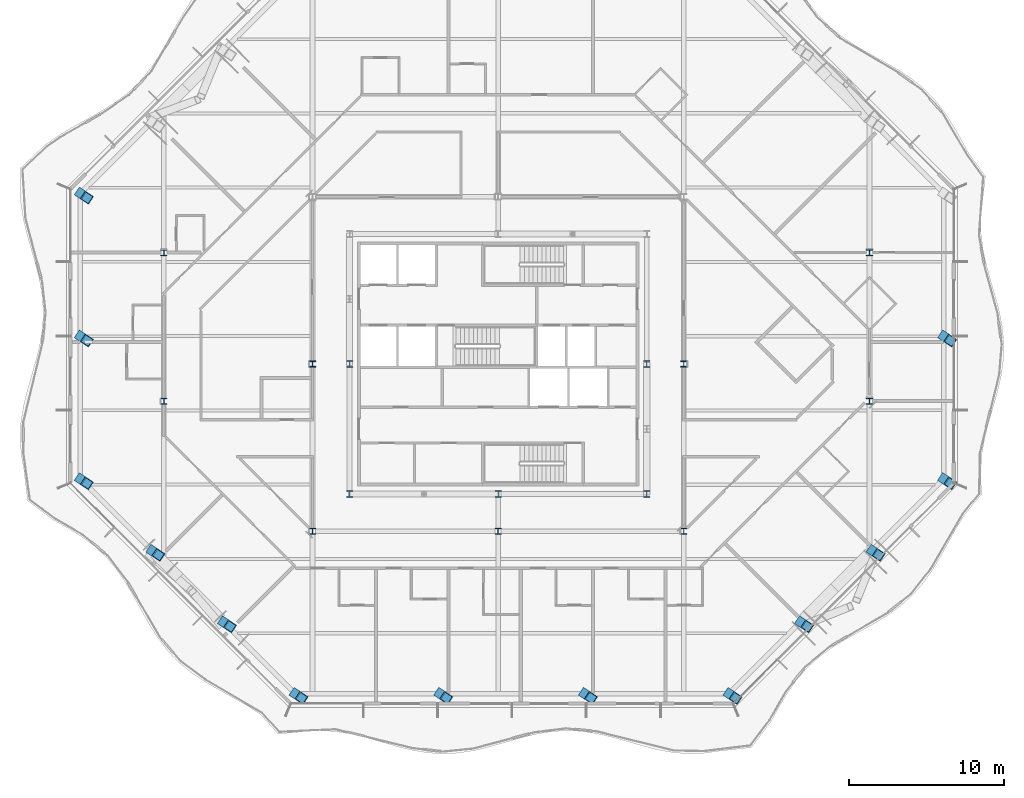
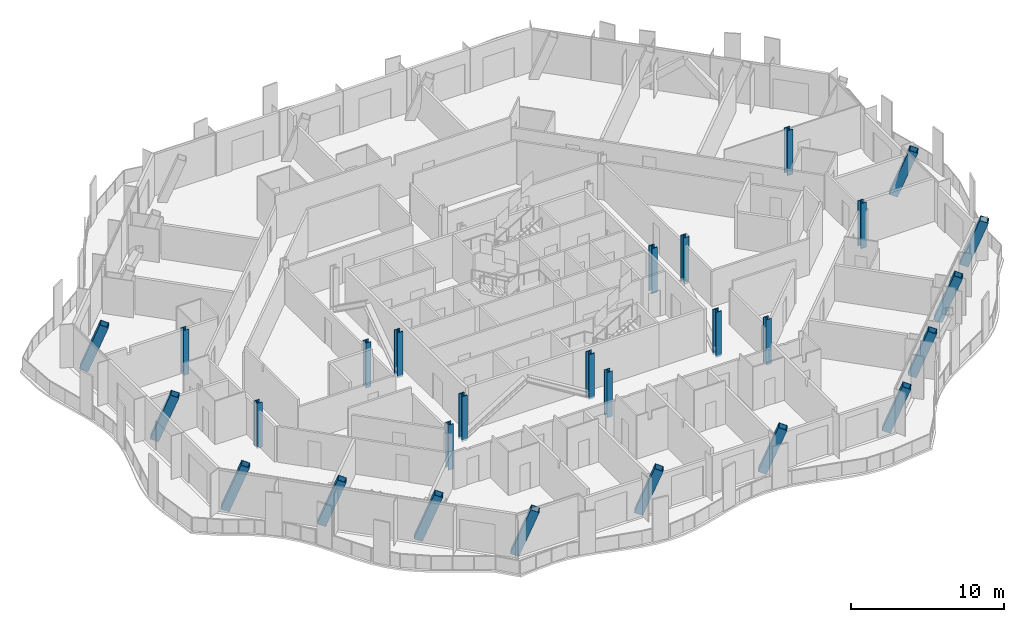
# One storey, part 1 of 21: 27 columns.
"""IFC4 building model written with IfcOpenShell, lengths in metres."""

from ifc_helpers import new_model, si_unit, direction, frame, origin, origin_2d, place, context, subcontext, project, spatial, hollow_rectangle, i_section, extrude, clip, halfspace, material, material_profile, profile_set, type_object, element, save


model = new_model("IFC4")

# Units and contexts
model_context = context("Model", 3, precision=1e-05, world=origin(), true_north=direction((0.0, 1.0)))
body_context = subcontext(model_context, "Body", "Model", "MODEL_VIEW")
ifc_project = project(units=[si_unit("LENGTHUNIT", "METRE"), si_unit("AREAUNIT", "SQUARE_METRE"), si_unit("VOLUMEUNIT", "CUBIC_METRE"), si_unit("PLANEANGLEUNIT", "RADIAN"), si_unit("MASSUNIT", "GRAM", prefix="KILO")], contexts=[model_context])

# Site, building, storey
site_placement = place(None, origin())
site = spatial("IfcSite", under=ifc_project, at=site_placement, CompositionType="ELEMENT")
building_placement = place(site_placement, origin())
building = spatial("IfcBuilding", under=site, at=building_placement, Name="Cairn Pilgrim Tower", CompositionType="ELEMENT")
storey_placement = place(building_placement, frame((0.0, 0.0, 179.39990234375)))
storey = spatial("IfcBuildingStorey", under=building, at=storey_placement, Name="L45", CompositionType="ELEMENT", Elevation=179.39990234375)

# Columns
ifc_material_1 = material(Name="Structural steel S460M", Category="steel")
ifc_material_profile_1 = material_profile(ifc_material_1, hollow_rectangle(XDim=0.60009765625, YDim=0.60009765625, WallThickness=0.034912109375, at=origin_2d()), Name="BOX 600x600x35")
ifc_profile_set_1 = profile_set([ifc_material_profile_1], Name="Structural steel S460M")
column_type_1 = type_object("IfcColumnType", Name="BOX 600x600x35", PredefinedType="COLUMN", material=ifc_profile_set_1)
for number, where, z_axis, x_axis, name in (
    (1, (-5.92724609375, -18.89990234375, -0.14990234375), (0.292540258958, -0.195026839305, 0.936154222786), (0.554700196225, 0.832050294338, 0.0), "PC2-S1"),
    (2, (3.42431640625, -18.89990234375, -0.14990234375), (0.292540258958, -0.195026839305, 0.936154222786), (0.554700196225, 0.832050294338, 0.0), "PC2-S2"),
    (3, (12.775634765625, -18.89990234375, -0.14990234375), (0.292540258958, -0.195026839305, 0.936154222786), (0.554700196225, 0.832050294338, 0.0), "PC2-S3"),
    (4, (22.127197265625, -18.89990234375, -0.14990234375), (0.292540258958, -0.195026839305, 0.936154222786), (0.554700196225, 0.832050294338, 0.0), "PC2-SE1"),
    (5, (26.75146484375, -14.275634765625, -0.14990234375), (0.292540258958, -0.195026839305, 0.936154222786), (0.554700196225, 0.832050294338, 0.0), "PC2-SE2"),
    (6, (31.375732421875, -9.651611328125, -0.14990234375), (0.292540258958, -0.195026839305, 0.936154222786), (0.554700196225, 0.832050294338, 0.0), "PC2-SE3"),
    (7, (36.0, -5.027099609375, -0.14990234375), (0.292540258958, -0.195026839305, 0.936154222786), (0.554700196225, 0.832050294338, 0.0), "PC2-E1"),
    (8, (36.0, 4.199951171875, -0.14990234375), (0.292540258958, -0.195026839305, 0.936154222786), (0.554700196225, 0.832050294338, 0.0), "PC2-E2"),
    (9, (-19.800048828125, 13.42724609375, -0.14990234375), (0.292540258958, -0.195026839305, 0.936154222786), (0.554700196225, 0.832050294338, 0.0), "PC2-W1"),
    (10, (-19.800048828125, 4.199951171875, -0.14990234375), (0.292540258958, -0.195026839305, 0.936154222786), (0.554700196225, 0.832050294338, 0.0), "PC2-W2"),
    (11, (-19.800048828125, -5.027099609375, -0.14990234375), (0.292540258958, -0.195026839305, 0.936154222786), (0.554700196225, 0.832050294338, 0.0), "PC2-SW1"),
    (12, (-15.17578125, -9.651611328125, -0.14990234375), (0.292540258958, -0.195026839305, 0.936154222786), (0.554700196225, 0.832050294338, 0.0), "PC2-SW2"),
    (13, (-10.551513671875, -14.275634765625, -0.14990234375), (0.292540258958, -0.195026839305, 0.936154222786), (0.554700196225, 0.832050294338, 0.0), "PC2-SW3"),
):
    element("IfcColumn", number, at=place(storey_placement, frame(where, z_axis=z_axis, x_axis=x_axis)), inside=storey, type_object=column_type_1, Name=name, PredefinedType="COLUMN", context=body_context, shape_type="Clipping", body=[
        clip(clip(extrude(hollow_rectangle(XDim=0.60009765625, YDim=0.60009765625, WallThickness=0.034912109375, at=origin_2d()), origin(), (0.0, 0.0, 1.0), 3.845703125), halfspace(frame((0.0, 0.0, 0.0205078125), z_axis=(0.0, 0.0, 1.0), x_axis=(1.0, 0.0, 0.0)), True)), halfspace(frame((0.0, 0.0, 3.8271484375), z_axis=(0.0, 0.0, 1.0), x_axis=(1.0, 0.0, 0.0)), False)),
    ])
ifc_material_2 = material(Name="Structural steel S355J2", Category="steel")
ifc_material_profile_2 = material_profile(ifc_material_2, i_section(OverallWidth=0.39892578125, OverallDepth=0.39306640625, WebThickness=0.022705078125, FlangeThickness=0.03662109375, FilletRadius=0.014892578125, at=origin_2d()), Name="HD 400x287")
ifc_profile_set_2 = profile_set([ifc_material_profile_2], Name="Structural steel S355J2")
column_type_2 = type_object("IfcColumnType", Name="HD 400x287", PredefinedType="COLUMN", material=ifc_profile_set_2)
for number, where, z_axis, x_axis, name in (
    (14, (-4.800048828125, -8.39990234375, -0.14990234375), (0.0, 0.0, 1.0), (1.0, 0.0, 0.0), "IC-1"),
    (15, (7.199951171875, -8.39990234375, -0.14990234375), (0.0, 0.0, 1.0), (1.0, 0.0, 0.0), "IC-2"),
    (16, (19.199951171875, -8.39990234375, -0.14990234375), (0.0, 0.0, 1.0), (1.0, 0.0, 0.0), "IC-3"),
    (17, (-4.800048828125, 2.39990234375, -0.14990234375), (0.0, 0.0, 1.0), (1.0, 0.0, 0.0), "IC-4"),
    (18, (19.199951171875, 2.39990234375, -0.14990234375), (0.0, 0.0, 1.0), (1.0, 0.0, 0.0), "IC-5"),
    (19, (-14.39990234375, 0.0, -0.14990234375), (0.0, 0.0, 1.0), (1.0, 0.0, 0.0), "WC-WW+0"),
    (20, (-14.39990234375, 9.60009765625, -0.14990234375), (0.0, 0.0, 1.0), (1.0, 0.0, 0.0), "WC-WW+2"),
):
    element("IfcColumn", number, at=place(storey_placement, frame(where, z_axis=z_axis, x_axis=x_axis)), inside=storey, type_object=column_type_2, Name=name, PredefinedType="COLUMN", context=body_context, shape_type="SweptSolid", body=[
        extrude(i_section(OverallWidth=0.39892578125, OverallDepth=0.39306640625, WebThickness=0.022705078125, FlangeThickness=0.03662109375, FilletRadius=0.014892578125, at=origin_2d()), origin(), (0.0, 0.0, 1.0), 3.60009765625),
    ])
ifc_material_profile_3 = material_profile(ifc_material_1, i_section(OverallWidth=0.408935546875, OverallDepth=0.425048828125, WebThickness=0.03271484375, FlangeThickness=0.052490234375, FilletRadius=0.014892578125, at=origin_2d()), Name="HD 400x421")
ifc_profile_set_3 = profile_set([ifc_material_profile_3], Name="Structural steel S460M")
column_type_3 = type_object("IfcColumnType", Name="HD 400x421", PredefinedType="COLUMN", material=ifc_profile_set_3)
for number, where, z_axis, x_axis, name in (
    (21, (31.199951171875, 0.0, -0.14990234375), (0.0, 0.0, 1.0), (1.0, 0.0, 0.0), "WC-WE+0"),
    (22, (31.199951171875, 9.60009765625, -0.14990234375), (0.0, 0.0, 1.0), (1.0, 0.0, 0.0), "WC-WE+2"),
):
    element("IfcColumn", number, at=place(storey_placement, frame(where, z_axis=z_axis, x_axis=x_axis)), inside=storey, type_object=column_type_3, Name=name, PredefinedType="COLUMN", context=body_context, shape_type="SweptSolid", body=[
        extrude(i_section(OverallWidth=0.408935546875, OverallDepth=0.425048828125, WebThickness=0.03271484375, FlangeThickness=0.052490234375, FilletRadius=0.014892578125, at=origin_2d()), origin(), (0.0, 0.0, 1.0), 3.60009765625),
    ])
ifc_material_profile_4 = material_profile(ifc_material_1, i_section(OverallWidth=0.416015625, OverallDepth=0.446044921875, WebThickness=0.0390625, FlangeThickness=0.062744140625, FilletRadius=0.014892578125, at=origin_2d()), Name="HD 400x509")
ifc_profile_set_4 = profile_set([ifc_material_profile_4], Name="Structural steel S460M")
column_type_4 = type_object("IfcColumnType", Name="HD 400x509", PredefinedType="COLUMN", material=ifc_profile_set_4)
for number, where, z_axis, x_axis, name in (
    (23, (-2.39990234375, -6.0, -0.14990234375), (0.0, 0.0, 1.0), (1.0, 0.0, 0.0), "KC-1"),
    (24, (7.199951171875, -6.0, -0.14990234375), (0.0, 0.0, 1.0), (1.0, 0.0, 0.0), "KC-2"),
    (25, (16.800048828125, -6.0, -0.14990234375), (0.0, 0.0, 1.0), (1.0, 0.0, 0.0), "KC-3"),
    (26, (-2.39990234375, 2.39990234375, -0.14990234375), (0.0, 0.0, 1.0), (1.0, 0.0, 0.0), "KC-4"),
    (27, (16.800048828125, 2.39990234375, -0.14990234375), (0.0, 0.0, 1.0), (1.0, 0.0, 0.0), "KC-5"),
):
    element("IfcColumn", number, at=place(storey_placement, frame(where, z_axis=z_axis, x_axis=x_axis)), inside=storey, type_object=column_type_4, Name=name, PredefinedType="COLUMN", context=body_context, shape_type="SweptSolid", body=[
        extrude(i_section(OverallWidth=0.416015625, OverallDepth=0.446044921875, WebThickness=0.0390625, FlangeThickness=0.062744140625, FilletRadius=0.014892578125, at=origin_2d()), origin(), (0.0, 0.0, 1.0), 3.60009765625),
    ])

save(model, "model.ifc")
